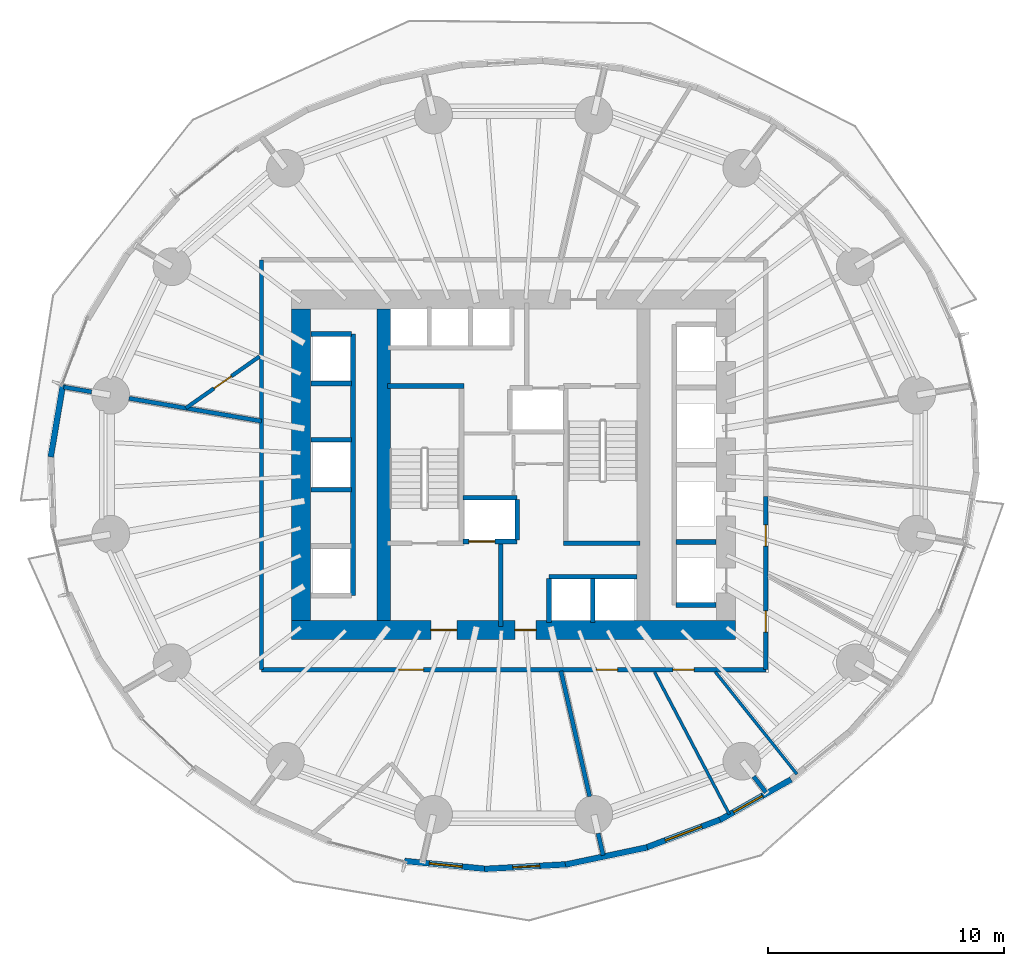
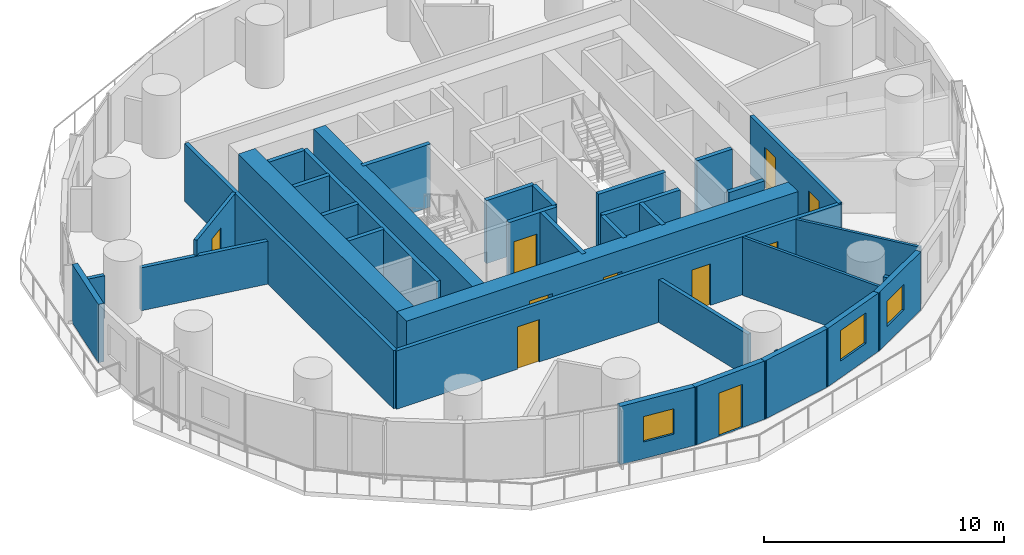
# One storey, part 7 of 14: 36 walls, 10 doors, 3 windows, 13 openings.
"""IFC4 building model written with IfcOpenShell, lengths in metres."""

from ifc_helpers import new_model, si_unit, direction, frame, frame_2d, origin, place, context, subcontext, project, spatial, rectangle, extrude, material, layer, layer_set, type_object, element, fill, save


model = new_model("IFC4")

# Units and contexts
model_context = context("Model", 3, precision=1e-05, world=origin(), true_north=direction((0.0, 1.0)))
body_context = subcontext(model_context, "Body", "Model", "MODEL_VIEW")
ifc_project = project(units=[si_unit("LENGTHUNIT", "METRE"), si_unit("AREAUNIT", "SQUARE_METRE"), si_unit("VOLUMEUNIT", "CUBIC_METRE"), si_unit("PLANEANGLEUNIT", "RADIAN"), si_unit("MASSUNIT", "GRAM", prefix="KILO")], contexts=[model_context])

# Site, building, storey
site_placement = place(None, origin())
site = spatial("IfcSite", under=ifc_project, at=site_placement, CompositionType="ELEMENT")
building_placement = place(site_placement, origin())
building = spatial("IfcBuilding", under=site, at=building_placement, Name="Veldorim Arch Residences", CompositionType="ELEMENT")
storey_placement = place(building_placement, frame((0.0, 0.0, 40.800048828125)))
storey = spatial("IfcBuildingStorey", under=building, at=storey_placement, Name="L11", CompositionType="ELEMENT", Elevation=40.800048828125)

# Walls
ifc_material_1 = material(Name="Acoustic Gypsum Board", Category="gypsum")
ifc_layer_1 = layer(ifc_material_1, 0.125, Name="Acoustic Stud Room Partition Wall 125")
ifc_layer_set_1 = layer_set([ifc_layer_1], Name="Acoustic Gypsum Board")
wall_type_1 = type_object("IfcWallType", Name="Acoustic Stud Room Partition Wall 125", PredefinedType="PARTITIONING", material=ifc_layer_set_1)
wall_1_placement = place(storey_placement, frame((43.997802734375, 10.896728515625, 0.0), z_axis=(0.0, 0.0, 1.0), x_axis=(-0.623937025269, 0.781474624347, 0.0)))
element("IfcWall", 1, at=wall_1_placement, inside=storey, type_object=wall_type_1, Name="L11 interior wall WL-RES-L11-010", PredefinedType="PARTITIONING", context=body_context, shape_type="SweptSolid", body=[
    extrude(rectangle(XDim=5.540283203125, YDim=0.125, at=frame_2d((2.77001953125, 0.0))), origin(), (0.0, 0.0, 1.0), 2.954833984375),
])
wall_2_placement = place(storey_placement, frame((41.134521484375, 9.197265625, 0.0), z_axis=(0.0, 0.0, 1.0), x_axis=(-0.465197105493, 0.885207124373, 0.0)))
element("IfcWall", 2, at=wall_2_placement, inside=storey, type_object=wall_type_1, Name="L11 interior wall WL-RES-L11-011", PredefinedType="PARTITIONING", context=body_context, shape_type="SweptSolid", body=[
    extrude(rectangle(XDim=6.796875, YDim=0.125, at=frame_2d((3.3984375, 0.0))), origin(), (0.0, 0.0, 1.0), 2.954833984375),
])
ifc_material_2 = material(Name="Lightweight Masonry Block & Gypsum", Category="masonry")
ifc_layer_2 = layer(ifc_material_2, 0.179931640625, Name="Compartment & Corridor Fire-Rated Party Wall 180")
ifc_layer_set_2 = layer_set([ifc_layer_2], Name="Lightweight Masonry Block & Gypsum")
wall_type_2 = type_object("IfcWallType", Name="Compartment & Corridor Fire-Rated Party Wall 180", PredefinedType="PARTITIONING", material=ifc_layer_set_2)
wall_3_placement = place(storey_placement, frame((14.126220703125, 27.08544921875, 0.0), z_axis=(0.0, 0.0, 1.0), x_axis=(-0.98541644509, 0.170160012181, 0.0)))
element("IfcWall", 3, at=wall_3_placement, inside=storey, type_object=wall_type_2, Name="L11 interior wall WL-PIER-L11-08", PredefinedType="PARTITIONING", context=body_context, shape_type="SweptSolid", body=[
    extrude(rectangle(XDim=1.195068359375, YDim=0.179931640625, at=frame_2d((0.59765625, 0.0))), origin(), (0.0, 0.0, 1.0), 2.17822265625),
])
wall_4_placement = place(storey_placement, frame((35.577880859375, 8.390869140625, 0.0), z_axis=(0.0, 0.0, 1.0), x_axis=(0.223204870581, -0.974771555673, 0.0)))
element("IfcWall", 4, at=wall_4_placement, inside=storey, type_object=wall_type_2, Name="L11 interior wall WL-PIER-L11-13", PredefinedType="PARTITIONING", context=body_context, shape_type="SweptSolid", body=[
    extrude(rectangle(XDim=0.959228515625, YDim=0.179931640625, at=frame_2d((0.4794921875, 0.0))), origin(), (0.0, 0.0, 1.0), 2.17822265625),
])
wall_5_placement = place(storey_placement, frame((42.167236328125, 10.795166015625, 0.0), z_axis=(0.0, 0.0, 1.0), x_axis=(0.609822176225, -0.792538272504, 0.0)))
element("IfcWall", 5, at=wall_5_placement, inside=storey, type_object=wall_type_2, Name="L11 interior wall WL-PIER-L11-14", PredefinedType="PARTITIONING", context=body_context, shape_type="SweptSolid", body=[
    extrude(rectangle(XDim=0.84716796875, YDim=0.179931640625, at=frame_2d((0.423583984375, 0.0))), origin(), (0.0, 0.0, 1.0), 2.17822265625),
])

# Wall, openings, doors
wall_6_placement = place(storey_placement, frame((42.679931640625, 22.655517578125, 0.0), z_axis=(0.0, 0.0, 1.0), x_axis=(0.0, -1.0, 0.0)))
wall_6 = element("IfcWall", 6, at=wall_6_placement, inside=storey, type_object=wall_type_2, Name="L11 interior wall WL-RES-L11-002", PredefinedType="PARTITIONING", context=body_context, shape_type="SweptSolid", body=[
    extrude(rectangle(XDim=7.33544921875, YDim=0.179931640625, at=frame_2d((3.667724609375, 0.0))), origin(), (0.0, 0.0, 1.0), 2.954833984375),
])
opening_1_placement = place(wall_6_placement, frame((1.199951171875, 0.0, 0.0)))
opening_1 = element("IfcOpeningElement", 7, at=opening_1_placement, cuts=wall_6, Name="Opening DR-INT", PredefinedType="OPENING", context=body_context, shape_type="SweptSolid", body=[
    extrude(rectangle(XDim=0.89990234375, YDim=2.10009765625, at=frame_2d((0.449951171875, 1.050048828125))), frame((0.0, 0.099853515625, 0.0), z_axis=(0.0, -1.0, 0.0), x_axis=(1.0, 0.0, 0.0)), (0.0, 0.0, 1.0), 0.199951171875),
])
opening_2_placement = place(wall_6_placement, frame((4.846435546875, 0.0, 0.0)))
opening_2 = element("IfcOpeningElement", 8, at=opening_2_placement, cuts=wall_6, Name="Opening DR-INT", PredefinedType="OPENING", context=body_context, shape_type="SweptSolid", body=[
    extrude(rectangle(XDim=0.89990234375, YDim=2.10009765625, at=frame_2d((0.449951171875, 1.050048828125))), frame((0.0, 0.099853515625, 0.0), z_axis=(0.0, -1.0, 0.0), x_axis=(1.0, 0.0, 0.0)), (0.0, 0.0, 1.0), 0.199951171875),
])
ifc_material_3 = material(Name="Engineered Timber", Category="wood")
door_type_1 = type_object("IfcDoorType", Name="Apartment Internal Room Timber Door 900x2100", OperationType="SINGLE_SWING_LEFT", PredefinedType="DOOR", material=ifc_material_3)
door_1_placement = place(opening_1_placement, origin())
door_1 = element("IfcDoor", 9, at=door_1_placement, inside=storey, type_object=door_type_1, Name="L11 interior door DR-RES-L11-002", OperationType="SINGLE_SWING_RIGHT", OverallHeight=2.10009765625, OverallWidth=0.89990234375, PredefinedType="DOOR", context=body_context, shape_type="SweptSolid", body=[
    extrude(rectangle(XDim=0.89990234375, YDim=2.10009765625, at=frame_2d((0.449951171875, 1.050048828125))), frame((0.0, 0.02490234375, 0.0), z_axis=(0.0, -1.0, 0.0), x_axis=(1.0, 0.0, 0.0)), (0.0, 0.0, 1.0), 0.050048828125),
])
fill(opening_1, door_1)
door_2_placement = place(opening_2_placement, origin())
door_2 = element("IfcDoor", 10, at=door_2_placement, inside=storey, type_object=door_type_1, Name="L11 interior door DR-RES-L11-003", OperationType="SINGLE_SWING_LEFT", OverallHeight=2.10009765625, OverallWidth=0.89990234375, PredefinedType="DOOR", context=body_context, shape_type="SweptSolid", body=[
    extrude(rectangle(XDim=0.89990234375, YDim=2.10009765625, at=frame_2d((0.449951171875, 1.050048828125))), frame((0.0, 0.02490234375, 0.0), z_axis=(0.0, -1.0, 0.0), x_axis=(1.0, 0.0, 0.0)), (0.0, 0.0, 1.0), 0.050048828125),
])
fill(opening_2, door_2)

wall_7_placement = place(storey_placement, frame((42.679931640625, 15.320068359375, 0.0), z_axis=(0.0, 0.0, 1.0), x_axis=(-1.0, 0.0, 0.0)))
wall_7 = element("IfcWall", 11, at=wall_7_placement, inside=storey, type_object=wall_type_2, Name="L11 interior wall WL-RES-L11-003", PredefinedType="PARTITIONING", context=body_context, shape_type="SweptSolid", body=[
    extrude(rectangle(XDim=21.35986328125, YDim=0.179931640625, at=frame_2d((10.679931640625, 0.0))), origin(), (0.0, 0.0, 1.0), 2.954833984375),
])
opening_3_placement = place(wall_7_placement, frame((3.035888671875, 0.0, 0.0)))
opening_3 = element("IfcOpeningElement", 12, at=opening_3_placement, cuts=wall_7, Name="Opening DR-INT", PredefinedType="OPENING", context=body_context, shape_type="SweptSolid", body=[
    extrude(rectangle(XDim=0.89990234375, YDim=2.10009765625, at=frame_2d((0.449951171875, 1.050048828125))), frame((0.0, 0.099853515625, 0.0), z_axis=(0.0, -1.0, 0.0), x_axis=(1.0, 0.0, 0.0)), (0.0, 0.0, 1.0), 0.199951171875),
])
opening_4_placement = place(wall_7_placement, frame((6.275390625, 0.0, 0.0)))
opening_4 = element("IfcOpeningElement", 13, at=opening_4_placement, cuts=wall_7, Name="Opening DR-INT", PredefinedType="OPENING", context=body_context, shape_type="SweptSolid", body=[
    extrude(rectangle(XDim=0.89990234375, YDim=2.10009765625, at=frame_2d((0.449951171875, 1.050048828125))), frame((0.0, 0.099853515625, 0.0), z_axis=(0.0, -1.0, 0.0), x_axis=(1.0, 0.0, 0.0)), (0.0, 0.0, 1.0), 0.199951171875),
])
opening_5_placement = place(wall_7_placement, frame((14.489990234375, 0.0, 0.0)))
opening_5 = element("IfcOpeningElement", 14, at=opening_5_placement, cuts=wall_7, Name="Opening DR-FLT", PredefinedType="OPENING", context=body_context, shape_type="SweptSolid", body=[
    extrude(rectangle(XDim=1.050048828125, YDim=2.14990234375, at=frame_2d((0.52490234375, 1.074951171875))), frame((0.0, 0.099853515625, 0.0), z_axis=(0.0, -1.0, 0.0), x_axis=(1.0, 0.0, 0.0)), (0.0, 0.0, 1.0), 0.199951171875),
])
ifc_material_4 = material(Name="Fire-Rated Timber", Category="wood")
door_type_2 = type_object("IfcDoorType", Name="Apartment Entrance Solid-Core Fire Door 1050x2150", OperationType="SINGLE_SWING_LEFT", PredefinedType="DOOR", material=ifc_material_4)
door_3_placement = place(opening_5_placement, origin())
door_3 = element("IfcDoor", 15, at=door_3_placement, inside=storey, type_object=door_type_2, Name="L11 interior door DR-RES-L11-014", OperationType="SINGLE_SWING_RIGHT", OverallHeight=2.14990234375, OverallWidth=1.050048828125, PredefinedType="DOOR", context=body_context, shape_type="SweptSolid", body=[
    extrude(rectangle(XDim=1.050048828125, YDim=2.14990234375, at=frame_2d((0.52490234375, 1.074951171875))), frame((0.0, 0.02490234375, 0.0), z_axis=(0.0, -1.0, 0.0), x_axis=(1.0, 0.0, 0.0)), (0.0, 0.0, 1.0), 0.050048828125),
])
fill(opening_5, door_3)
door_4_placement = place(opening_3_placement, origin())
door_4 = element("IfcDoor", 16, at=door_4_placement, inside=storey, type_object=door_type_1, Name="L11 interior door DR-RES-L11-004", OperationType="SINGLE_SWING_RIGHT", OverallHeight=2.10009765625, OverallWidth=0.89990234375, PredefinedType="DOOR", context=body_context, shape_type="SweptSolid", body=[
    extrude(rectangle(XDim=0.89990234375, YDim=2.10009765625, at=frame_2d((0.449951171875, 1.050048828125))), frame((0.0, 0.02490234375, 0.0), z_axis=(0.0, -1.0, 0.0), x_axis=(1.0, 0.0, 0.0)), (0.0, 0.0, 1.0), 0.050048828125),
])
fill(opening_3, door_4)
door_5_placement = place(opening_4_placement, origin())
door_5 = element("IfcDoor", 17, at=door_5_placement, inside=storey, type_object=door_type_1, Name="L11 interior door DR-RES-L11-005", OperationType="SINGLE_SWING_LEFT", OverallHeight=2.10009765625, OverallWidth=0.89990234375, PredefinedType="DOOR", context=body_context, shape_type="SweptSolid", body=[
    extrude(rectangle(XDim=0.89990234375, YDim=2.10009765625, at=frame_2d((0.449951171875, 1.050048828125))), frame((0.0, 0.02490234375, 0.0), z_axis=(0.0, -1.0, 0.0), x_axis=(1.0, 0.0, 0.0)), (0.0, 0.0, 1.0), 0.050048828125),
])
fill(opening_4, door_5)

# Walls
wall_8_placement = place(storey_placement, frame((21.320068359375, 15.320068359375, 0.0), z_axis=(0.0, 0.0, 1.0), x_axis=(0.0, 1.0, 0.0)))
element("IfcWall", 18, at=wall_8_placement, inside=storey, type_object=wall_type_2, Name="L11 interior wall WL-RES-L11-005", PredefinedType="PARTITIONING", context=body_context, shape_type="SweptSolid", body=[
    extrude(rectangle(XDim=17.35986328125, YDim=0.179931640625, at=frame_2d((8.679931640625, 0.0))), origin(), (0.0, 0.0, 1.0), 2.954833984375),
])
wall_9_placement = place(storey_placement, frame((35.220947265625, 9.947998046875, 0.0), z_axis=(0.0, 0.0, 1.0), x_axis=(-0.223436436687, 0.974718502318, 0.0)))
element("IfcWall", 19, at=wall_9_placement, inside=storey, type_object=wall_type_2, Name="L11 interior wall WL-RES-L11-012", PredefinedType="PARTITIONING", context=body_context, shape_type="SweptSolid", body=[
    extrude(rectangle(XDim=5.451171875, YDim=0.179931640625, at=frame_2d((2.7255859375, 0.0))), origin(), (0.0, 0.0, 1.0), 2.17822265625),
])
wall_10_placement = place(storey_placement, frame((21.320068359375, 25.84375, 0.0), z_axis=(0.0, 0.0, 1.0), x_axis=(-0.985428411656, 0.170090697865, 0.0)))
element("IfcWall", 20, at=wall_10_placement, inside=storey, type_object=wall_type_2, Name="L11 interior wall WL-RES-L11-020", PredefinedType="PARTITIONING", context=body_context, shape_type="SweptSolid", body=[
    extrude(rectangle(XDim=5.694091796875, YDim=0.179931640625, at=frame_2d((2.84716796875, 0.0))), origin(), (0.0, 0.0, 1.0), 2.17822265625),
])
ifc_material_5 = material(Name="Concrete C50/60", Category="concrete")
ifc_layer_3 = layer(ifc_material_5, 0.199951171875, Name="Core Stair & Lift Shaft Enclosure Wall 200")
ifc_layer_set_3 = layer_set([ifc_layer_3], Name="Concrete C50/60")
wall_type_3 = type_object("IfcWallType", Name="Core Stair & Lift Shaft Enclosure Wall 200", PredefinedType="SHEAR", material=ifc_layer_set_3)
for number, where, z_axis, x_axis, name in (
    (21, (26.64990234375, 27.330078125, 0.0), (0.0, 0.0, 1.0), (1.0, 0.0, 0.0), "L11 shaft wall WL-SHF-L11-ST1-N"),
    (22, (34.110107421875, 20.669921875, 0.0), (0.0, 0.0, 1.0), (1.0, 0.0, 0.0), "L11 shaft wall WL-SHF-L11-ST2-S"),
):
    element("IfcWall", number, at=place(storey_placement, frame(where, z_axis=z_axis, x_axis=x_axis)), inside=storey, type_object=wall_type_3, Name=name, PredefinedType="SHEAR", context=body_context, shape_type="SweptSolid", body=[
        extrude(rectangle(XDim=3.239990234375, YDim=0.199951171875, at=frame_2d((1.6201171875, 0.0))), origin(), (0.0, 0.0, 1.0), 3.199951171875),
    ])
wall_11_placement = place(storey_placement, frame((31.449951171875, 17.14990234375, 0.0), z_axis=(0.0, 0.0, 1.0), x_axis=(0.0, 1.0, 0.0)))
element("IfcWall", 23, at=wall_11_placement, inside=storey, type_object=wall_type_3, Name="L11 shaft wall WL-FFL1-L11-E", PredefinedType="SHEAR", context=body_context, shape_type="SweptSolid", body=[
    extrude(rectangle(XDim=3.5, YDim=0.199951171875, at=frame_2d((1.75, 0.0))), origin(), (0.0, 0.0, 1.0), 3.199951171875),
])

# Wall, opening, door
wall_12_placement = place(storey_placement, frame((29.85009765625, 20.75, 0.0), z_axis=(0.0, 0.0, 1.0), x_axis=(1.0, 0.0, 0.0)))
wall_12 = element("IfcWall", 24, at=wall_12_placement, inside=storey, type_object=wall_type_3, Name="L11 shaft wall WL-FL01-L11-S", PredefinedType="SHEAR", context=body_context, shape_type="SweptSolid", body=[
    extrude(rectangle(XDim=2.2998046875, YDim=0.199951171875, at=frame_2d((1.14990234375, 0.0))), origin(), (0.0, 0.0, 1.0), 3.199951171875),
])
opening_6_placement = place(wall_12_placement, frame((0.25, 0.0, 0.0)))
opening_6 = element("IfcOpeningElement", 25, at=opening_6_placement, cuts=wall_12, Name="Opening LD-FF", PredefinedType="OPENING", context=body_context, shape_type="SweptSolid", body=[
    extrude(rectangle(XDim=1.10009765625, YDim=2.14990234375, at=frame_2d((0.550048828125, 1.074951171875))), frame((0.0, 0.10986328125, 0.0), z_axis=(0.0, -1.0, 0.0), x_axis=(1.0, 0.0, 0.0)), (0.0, 0.0, 1.0), 0.219970703125),
])
ifc_material_6 = material(Name="Stainless Steel", Category="steel")
door_type_3 = type_object("IfcDoorType", Name="Firefighting Lift Bi-Parting Sliding Landing Door 1100x2150", OperationType="DOUBLE_DOOR_SLIDING", PredefinedType="DOOR", material=ifc_material_6)
door_6_placement = place(opening_6_placement, origin())
door_6 = element("IfcDoor", 26, at=door_6_placement, inside=storey, type_object=door_type_3, Name="L11 lift landing door LD-L11-FL01", OperationType="DOUBLE_DOOR_SLIDING", OverallHeight=2.14990234375, OverallWidth=1.10009765625, PredefinedType="DOOR", context=body_context, shape_type="SweptSolid", body=[
    extrude(rectangle(XDim=1.10009765625, YDim=2.14990234375, at=frame_2d((0.550048828125, 1.074951171875))), frame((0.0, 0.02490234375, 0.0), z_axis=(0.0, -1.0, 0.0), x_axis=(1.0, 0.0, 0.0)), (0.0, 0.0, 1.0), 0.050048828125),
])
fill(opening_6, door_6)

# Walls
wall_13_placement = place(storey_placement, frame((29.85009765625, 22.60009765625, 0.0), z_axis=(0.0, 0.0, 1.0), x_axis=(1.0, 0.0, 0.0)))
element("IfcWall", 27, at=wall_13_placement, inside=storey, type_object=wall_type_3, Name="L11 shaft wall WL-FL01-L11-N", PredefinedType="SHEAR", context=body_context, shape_type="SweptSolid", body=[
    extrude(rectangle(XDim=2.2998046875, YDim=0.199951171875, at=frame_2d((1.14990234375, 0.0))), origin(), (0.0, 0.0, 1.0), 3.199951171875),
])
for number, where, z_axis, x_axis, name in (
    (28, (32.14990234375, 20.820068359375, 0.0), (0.0, 0.0, 1.0), (0.0, 1.0, 0.0), "L11 shaft wall WL-FL01-L11-E"),
    (29, (38.8701171875, 18.06005859375, 0.0), (0.0, 0.0, 1.0), (1.0, 0.0, 0.0), "L11 shaft wall WL-B1-L11-S"),
    (30, (38.8701171875, 20.72509765625, 0.0), (0.0, 0.0, 1.0), (1.0, 0.0, 0.0), "L11 shaft wall WL-B1-L11-D1"),
):
    element("IfcWall", number, at=place(storey_placement, frame(where, z_axis=z_axis, x_axis=x_axis)), inside=storey, type_object=wall_type_3, Name=name, PredefinedType="SHEAR", context=body_context, shape_type="SweptSolid", body=[
        extrude(rectangle(XDim=1.7099609375, YDim=0.199951171875, at=frame_2d((0.85498046875, 0.0))), origin(), (0.0, 0.0, 1.0), 3.199951171875),
    ])
wall_14_placement = place(storey_placement, frame((25.199951171875, 18.4599609375, 0.0), z_axis=(0.0, 0.0, 1.0), x_axis=(0.0, 1.0, 0.0)))
element("IfcWall", 31, at=wall_14_placement, inside=storey, type_object=wall_type_3, Name="L11 shaft wall WL-B2-L11-E", PredefinedType="SHEAR", context=body_context, shape_type="SweptSolid", body=[
    extrude(rectangle(XDim=11.080078125, YDim=0.199951171875, at=frame_2d((5.5400390625, 0.0))), origin(), (0.0, 0.0, 1.0), 3.199951171875),
])
for number, where, z_axis, x_axis, name in (
    (32, (23.419921875, 29.5400390625, 0.0), (0.0, 0.0, 1.0), (1.0, 0.0, 0.0), "L11 shaft wall WL-B2-L11-N"),
    (33, (23.419921875, 22.93994140625, 0.0), (0.0, 0.0, 1.0), (1.0, 0.0, 0.0), "L11 shaft wall WL-B2-L11-D1B"),
    (34, (23.419921875, 25.06005859375, 0.0), (0.0, 0.0, 1.0), (1.0, 0.0, 0.0), "L11 shaft wall WL-B2-L11-D2A"),
    (35, (23.419921875, 27.43994140625, 0.0), (0.0, 0.0, 1.0), (1.0, 0.0, 0.0), "L11 shaft wall WL-B2-L11-D2B"),
):
    element("IfcWall", number, at=place(storey_placement, frame(where, z_axis=z_axis, x_axis=x_axis)), inside=storey, type_object=wall_type_3, Name=name, PredefinedType="SHEAR", context=body_context, shape_type="SweptSolid", body=[
        extrude(rectangle(XDim=1.7099609375, YDim=0.199951171875, at=frame_2d((0.85498046875, 0.0))), origin(), (0.0, 0.0, 1.0), 3.199951171875),
    ])
wall_15_placement = place(storey_placement, frame((33.5, 19.25, 0.0), z_axis=(0.0, 0.0, 1.0), x_axis=(1.0, 0.0, 0.0)))
element("IfcWall", 36, at=wall_15_placement, inside=storey, type_object=wall_type_3, Name="L11 shaft wall WL-OL-L11-N", PredefinedType="SHEAR", context=body_context, shape_type="SweptSolid", body=[
    extrude(rectangle(XDim=3.719970703125, YDim=0.199951171875, at=frame_2d((1.85986328125, 0.0))), origin(), (0.0, 0.0, 1.0), 3.199951171875),
])
for number, where, z_axis, x_axis, name in (
    (37, (33.5, 17.320068359375, 0.0), (0.0, 0.0, 1.0), (0.0, 1.0, 0.0), "L11 shaft wall WL-OL-L11-W"),
    (38, (35.35009765625, 17.320068359375, 0.0), (0.0, 0.0, 1.0), (0.0, 1.0, 0.0), "L11 shaft wall WL-OL-L11-D1"),
):
    element("IfcWall", number, at=place(storey_placement, frame(where, z_axis=z_axis, x_axis=x_axis)), inside=storey, type_object=wall_type_3, Name=name, PredefinedType="SHEAR", context=body_context, shape_type="SweptSolid", body=[
        extrude(rectangle(XDim=1.85986328125, YDim=0.199951171875, at=frame_2d((0.929931640625, 0.0))), origin(), (0.0, 0.0, 1.0), 3.199951171875),
    ])
ifc_material_7 = material(Name="Concrete C60/75", Category="concrete")
ifc_layer_4 = layer(ifc_material_7, 0.56005859375, Name="Internal Core Shear Web Wall 560")
ifc_layer_set_4 = layer_set([ifc_layer_4], Name="Concrete C60/75")
wall_type_4 = type_object("IfcWallType", Name="Internal Core Shear Web Wall 560", PredefinedType="SHEAR", material=ifc_layer_set_4)
wall_16_placement = place(storey_placement, frame((26.5, 17.39990234375, 0.0), z_axis=(0.0, 0.0, 1.0), x_axis=(0.0, 1.0, 0.0)))
element("IfcWall", 39, at=wall_16_placement, inside=storey, type_object=wall_type_4, Name="L11 core west internal shear web", PredefinedType="SHEAR", context=body_context, shape_type="SweptSolid", body=[
    extrude(rectangle(XDim=13.2001953125, YDim=0.56005859375, at=frame_2d((6.60009765625, 0.0))), origin(), (0.0, 0.0, 1.0), 3.199951171875),
])

# Wall, openings, doors
ifc_material_8 = material(Name="Concrete C60/75", Category="concrete")
ifc_layer_5 = layer(ifc_material_8, 0.800048828125, Name="Lower Central Core Shear Wall 800")
ifc_layer_set_5 = layer_set([ifc_layer_5], Name="Concrete C60/75")
wall_type_5 = type_object("IfcWallType", Name="Lower Central Core Shear Wall 800", PredefinedType="SHEAR", material=ifc_layer_set_5)
wall_17_placement = place(storey_placement, frame((22.60009765625, 17.0, 0.0), z_axis=(0.0, 0.0, 1.0), x_axis=(1.0, 0.0, 0.0)))
wall_17 = element("IfcWall", 40, at=wall_17_placement, inside=storey, type_object=wall_type_5, Name="L11 central core south shear wall", PredefinedType="SHEAR", context=body_context, shape_type="SweptSolid", body=[
    extrude(rectangle(XDim=18.7998046875, YDim=0.800048828125, at=frame_2d((9.39990234375, 0.0))), origin(), (0.0, 0.0, 1.0), 3.199951171875),
])
opening_7_placement = place(wall_17_placement, frame((5.89990234375, 0.0, 0.0)))
opening_7 = element("IfcOpeningElement", 41, at=opening_7_placement, cuts=wall_17, Name="Opening DR-FFL", PredefinedType="OPENING", context=body_context, shape_type="SweptSolid", body=[
    extrude(rectangle(XDim=1.10009765625, YDim=2.14990234375, at=frame_2d((0.550048828125, 1.074951171875))), frame((0.0, 0.409912109375, 0.0), z_axis=(0.0, -1.0, 0.0), x_axis=(1.0, 0.0, 0.0)), (0.0, 0.0, 1.0), 0.820068359375),
])
opening_8_placement = place(wall_17_placement, frame((9.449951171875, 0.0, 0.0)))
opening_8 = element("IfcOpeningElement", 42, at=opening_8_placement, cuts=wall_17, Name="Opening DR-SVC", PredefinedType="OPENING", context=body_context, shape_type="SweptSolid", body=[
    extrude(rectangle(XDim=0.89990234375, YDim=2.10009765625, at=frame_2d((0.449951171875, 1.050048828125))), frame((0.0, 0.409912109375, 0.0), z_axis=(0.0, -1.0, 0.0), x_axis=(1.0, 0.0, 0.0)), (0.0, 0.0, 1.0), 0.820068359375),
])
ifc_material_9 = material(Name="Fire-Rated Steel & Vision Glass", Category="steel")
door_type_4 = type_object("IfcDoorType", Name="Firefighting Lobby Smoke-Stop Fire Door 1100x2150", OperationType="SINGLE_SWING_LEFT", PredefinedType="DOOR", material=ifc_material_9)
door_7_placement = place(opening_7_placement, origin())
door_7 = element("IfcDoor", 43, at=door_7_placement, inside=storey, type_object=door_type_4, Name="L11 interior door DR-L11-FFL1", OperationType="SINGLE_SWING_RIGHT", OverallHeight=2.14990234375, OverallWidth=1.10009765625, PredefinedType="DOOR", context=body_context, shape_type="SweptSolid", body=[
    extrude(rectangle(XDim=1.10009765625, YDim=2.14990234375, at=frame_2d((0.550048828125, 1.074951171875))), frame((0.0, 0.02490234375, 0.0), z_axis=(0.0, -1.0, 0.0), x_axis=(1.0, 0.0, 0.0)), (0.0, 0.0, 1.0), 0.050048828125),
])
fill(opening_7, door_7)
ifc_material_10 = material(Name="Fire-Rated Steel", Category="steel")
door_type_5 = type_object("IfcDoorType", Name="Riser, Shelter & Plant Room Rated Steel Door 900x2100", OperationType="SINGLE_SWING_LEFT", PredefinedType="DOOR", material=ifc_material_10)
door_8_placement = place(opening_8_placement, origin())
door_8 = element("IfcDoor", 44, at=door_8_placement, inside=storey, type_object=door_type_5, Name="L11 interior door DR-L11-COR-ANC", OperationType="SINGLE_SWING_LEFT", OverallHeight=2.10009765625, OverallWidth=0.89990234375, PredefinedType="DOOR", context=body_context, shape_type="SweptSolid", body=[
    extrude(rectangle(XDim=0.89990234375, YDim=2.10009765625, at=frame_2d((0.449951171875, 1.050048828125))), frame((0.0, 0.02490234375, 0.0), z_axis=(0.0, -1.0, 0.0), x_axis=(1.0, 0.0, 0.0)), (0.0, 0.0, 1.0), 0.050048828125),
])
fill(opening_8, door_8)

# Walls
wall_18_placement = place(storey_placement, frame((23.0, 17.39990234375, 0.0), z_axis=(0.0, 0.0, 1.0), x_axis=(0.0, 1.0, 0.0)))
element("IfcWall", 45, at=wall_18_placement, inside=storey, type_object=wall_type_5, Name="L11 central core west shear wall", PredefinedType="SHEAR", context=body_context, shape_type="SweptSolid", body=[
    extrude(rectangle(XDim=13.2001953125, YDim=0.800048828125, at=frame_2d((6.60009765625, 0.0))), origin(), (0.0, 0.0, 1.0), 3.199951171875),
])
ifc_material_11 = material(Name="Precast concrete C40/50", Category="concrete")
ifc_layer_6 = layer(ifc_material_11, 0.25, Name="Tower Terracotta Spandrel & Pier Wall 250")
ifc_layer_set_6 = layer_set([ifc_layer_6], Name="Precast concrete C40/50")
wall_type_6 = type_object("IfcWallType", Name="Tower Terracotta Spandrel & Pier Wall 250", PredefinedType="SOLIDWALL", material=ifc_layer_set_6)
wall_19_placement = place(storey_placement, frame((12.393310546875, 24.330078125, 0.0), z_axis=(0.0, 0.0, 1.0), x_axis=(0.166403122634, 0.98605780803, 0.0)))
element("IfcWall", 46, at=wall_19_placement, inside=storey, type_object=wall_type_6, Name="L11 terracotta facade wall 17", PredefinedType="SOLIDWALL", context=body_context, shape_type="SweptSolid", body=[
    extrude(rectangle(XDim=3.12060546875, YDim=0.25, at=frame_2d((1.560302734375, 0.0))), origin(), (0.0, 0.0, 1.0), 2.9599609375),
])

# Wall, opening, window
wall_20_placement = place(storey_placement, frame((30.877197265625, 6.876220703125, 0.0), z_axis=(0.0, 0.0, 1.0), x_axis=(-0.995323323337, 0.096599596386, 0.0)))
wall_20 = element("IfcWall", 47, at=wall_20_placement, inside=storey, type_object=wall_type_6, Name="L11 terracotta facade wall 26", PredefinedType="SOLIDWALL", context=body_context, shape_type="SweptSolid", body=[
    extrude(rectangle(XDim=3.512939453125, YDim=0.25, at=frame_2d((1.75634765625, 0.0))), origin(), (0.0, 0.0, 1.0), 2.9599609375),
])
opening_9_placement = place(wall_20_placement, frame((1.055908203125, 0.0, 0.85009765625)))
opening_9 = element("IfcOpeningElement", 48, at=opening_9_placement, cuts=wall_20, Name="Opening WN-02", PredefinedType="OPENING", context=body_context, shape_type="SweptSolid", body=[
    extrude(rectangle(XDim=1.39990234375, YDim=1.2900390625, at=frame_2d((0.699951171875, 0.64501953125))), frame((0.0, 0.135009765625, 0.0), z_axis=(0.0, -1.0, 0.0), x_axis=(1.0, 0.0, 0.0)), (0.0, 0.0, 1.0), 0.27001953125),
])
ifc_material_12 = material(Name="Laminated Low-E Glass", Category="glass")
window_type_1 = type_object("IfcWindowType", Name="Residential Casement Window 1400x1550", PartitioningType="SINGLE_PANEL", PredefinedType="WINDOW", material=ifc_material_12)
window_1_placement = place(opening_9_placement, origin())
window_1 = element("IfcWindow", 49, at=window_1_placement, inside=storey, type_object=window_type_1, Name="L11 solar-control facade window 26", OverallHeight=1.2900390625, OverallWidth=1.39990234375, PartitioningType="SINGLE_PANEL", PredefinedType="WINDOW", context=body_context, shape_type="SweptSolid", body=[
    extrude(rectangle(XDim=1.39990234375, YDim=1.2900390625, at=frame_2d((0.699951171875, 0.64501953125))), frame((0.0, 0.030029296875, 0.0), z_axis=(0.0, -1.0, 0.0), x_axis=(1.0, 0.0, 0.0)), (0.0, 0.0, 1.0), 0.06005859375),
])
fill(opening_9, window_1)

# Wall, opening, door
wall_21_placement = place(storey_placement, frame((34.30078125, 7.076904296875, 0.0), z_axis=(0.0, 0.0, 1.0), x_axis=(-0.998425121055, -0.056100602904, 0.0)))
wall_21 = element("IfcWall", 50, at=wall_21_placement, inside=storey, type_object=wall_type_6, Name="L11 terracotta facade wall 27", PredefinedType="SOLIDWALL", context=body_context, shape_type="SweptSolid", body=[
    extrude(rectangle(XDim=3.5380859375, YDim=0.25, at=frame_2d((1.76904296875, 0.0))), origin(), (0.0, 0.0, 1.0), 2.9599609375),
])
opening_10_placement = place(wall_21_placement, frame((1.194091796875, 0.0, 0.0)))
opening_10 = element("IfcOpeningElement", 51, at=opening_10_placement, cuts=wall_21, Name="Opening BL-DR", PredefinedType="OPENING", context=body_context, shape_type="SweptSolid", body=[
    extrude(rectangle(XDim=1.14990234375, YDim=2.199951171875, at=frame_2d((0.574951171875, 1.10009765625))), frame((0.0, 0.135009765625, 0.0), z_axis=(0.0, -1.0, 0.0), x_axis=(1.0, 0.0, 0.0)), (0.0, 0.0, 1.0), 0.27001953125),
])
ifc_material_13 = material(Name="Aluminium & Low-E Glass", Category="aluminium")
door_type_6 = type_object("IfcDoorType", Name="Glazed Planted Balcony Door 1150x2200", OperationType="SINGLE_SWING_LEFT", PredefinedType="DOOR", material=ifc_material_13)
door_9_placement = place(opening_10_placement, origin())
door_9 = element("IfcDoor", 52, at=door_9_placement, inside=storey, type_object=door_type_6, Name="L11 glazed outdoor terrace door BALC-2", OperationType="SINGLE_SWING_LEFT", OverallHeight=2.199951171875, OverallWidth=1.14990234375, PredefinedType="DOOR", context=body_context, shape_type="SweptSolid", body=[
    extrude(rectangle(XDim=1.14990234375, YDim=2.199951171875, at=frame_2d((0.574951171875, 1.10009765625))), frame((0.0, 0.02490234375, 0.0), z_axis=(0.0, -1.0, 0.0), x_axis=(1.0, 0.0, 0.0)), (0.0, 0.0, 1.0), 0.050048828125),
])
fill(opening_10, door_9)

# Wall
wall_22_placement = place(storey_placement, frame((37.655029296875, 7.79248046875, 0.0), z_axis=(0.0, 0.0, 1.0), x_axis=(-0.978483842038, -0.206323461756, 0.0)))
element("IfcWall", 53, at=wall_22_placement, inside=storey, type_object=wall_type_6, Name="L11 terracotta facade wall 28", PredefinedType="SOLIDWALL", context=body_context, shape_type="SweptSolid", body=[
    extrude(rectangle(XDim=3.5380859375, YDim=0.25, at=frame_2d((1.76904296875, 0.0))), origin(), (0.0, 0.0, 1.0), 2.9599609375),
])

# Wall, opening, window
wall_23_placement = place(storey_placement, frame((40.837646484375, 9.00146484375, 0.0), z_axis=(0.0, 0.0, 1.0), x_axis=(-0.935679231508, -0.352851775857, 0.0)))
wall_23 = element("IfcWall", 54, at=wall_23_placement, inside=storey, type_object=wall_type_6, Name="L11 terracotta facade wall 29", PredefinedType="SOLIDWALL", context=body_context, shape_type="SweptSolid", body=[
    extrude(rectangle(XDim=3.5126953125, YDim=0.25, at=frame_2d((1.75634765625, 0.0))), origin(), (0.0, 0.0, 1.0), 2.9599609375),
])
opening_11_placement = place(wall_23_placement, frame((0.930908203125, 0.0, 0.85009765625)))
opening_11 = element("IfcOpeningElement", 55, at=opening_11_placement, cuts=wall_23, Name="Opening WN-03", PredefinedType="OPENING", context=body_context, shape_type="SweptSolid", body=[
    extrude(rectangle(XDim=1.64990234375, YDim=1.550048828125, at=frame_2d((0.824951171875, 0.77490234375))), frame((0.0, 0.135009765625, 0.0), z_axis=(0.0, -1.0, 0.0), x_axis=(1.0, 0.0, 0.0)), (0.0, 0.0, 1.0), 0.27001953125),
])
ifc_material_14 = material(Name="Laminated Low-E Glass", Category="glass")
window_type_2 = type_object("IfcWindowType", Name="Residential Wide Window 1650x1550", PartitioningType="SINGLE_PANEL", PredefinedType="WINDOW", material=ifc_material_14)
window_2_placement = place(opening_11_placement, origin())
window_2 = element("IfcWindow", 56, at=window_2_placement, inside=storey, type_object=window_type_2, Name="L11 solar-control facade window 29", OverallHeight=1.550048828125, OverallWidth=1.64990234375, PartitioningType="SINGLE_PANEL", PredefinedType="WINDOW", context=body_context, shape_type="SweptSolid", body=[
    extrude(rectangle(XDim=1.64990234375, YDim=1.550048828125, at=frame_2d((0.824951171875, 0.77490234375))), frame((0.0, 0.030029296875, 0.0), z_axis=(0.0, -1.0, 0.0), x_axis=(1.0, 0.0, 0.0)), (0.0, 0.0, 1.0), 0.06005859375),
])
fill(opening_11, window_2)

wall_24_placement = place(storey_placement, frame((43.751220703125, 10.667236328125, 0.0), z_axis=(0.0, 0.0, 1.0), x_axis=(-0.869389832426, -0.494126825091, 0.0)))
wall_24 = element("IfcWall", 57, at=wall_24_placement, inside=storey, type_object=wall_type_6, Name="L11 terracotta facade wall 30", PredefinedType="SOLIDWALL", context=body_context, shape_type="SweptSolid", body=[
    extrude(rectangle(XDim=3.465087890625, YDim=0.25, at=frame_2d((1.732421875, 0.0))), origin(), (0.0, 0.0, 1.0), 2.9599609375),
])
opening_12_placement = place(wall_24_placement, frame((1.39990234375, 0.0, 0.85009765625)))
opening_12 = element("IfcOpeningElement", 58, at=opening_12_placement, cuts=wall_24, Name="Opening WN-02", PredefinedType="OPENING", context=body_context, shape_type="SweptSolid", body=[
    extrude(rectangle(XDim=1.39990234375, YDim=1.2900390625, at=frame_2d((0.699951171875, 0.64501953125))), frame((0.0, 0.135009765625, 0.0), z_axis=(0.0, -1.0, 0.0), x_axis=(1.0, 0.0, 0.0)), (0.0, 0.0, 1.0), 0.27001953125),
])
window_3_placement = place(opening_12_placement, origin())
window_3 = element("IfcWindow", 59, at=window_3_placement, inside=storey, type_object=window_type_1, Name="L11 solar-control facade window 30", OverallHeight=1.2900390625, OverallWidth=1.39990234375, PartitioningType="SINGLE_PANEL", PredefinedType="WINDOW", context=body_context, shape_type="SweptSolid", body=[
    extrude(rectangle(XDim=1.39990234375, YDim=1.2900390625, at=frame_2d((0.699951171875, 0.64501953125))), frame((0.0, 0.030029296875, 0.0), z_axis=(0.0, -1.0, 0.0), x_axis=(1.0, 0.0, 0.0)), (0.0, 0.0, 1.0), 0.06005859375),
])
fill(opening_12, window_3)

# Wall, opening, door
ifc_material_15 = material(Name="Moisture-Resistant Gypsum & Stud", Category="gypsum")
ifc_layer_7 = layer(ifc_material_15, 0.159912109375, Name="Wet-Area Moisture-Resistant Plumbing Wall 160")
ifc_layer_set_7 = layer_set([ifc_layer_7], Name="Moisture-Resistant Gypsum & Stud")
wall_type_7 = type_object("IfcWallType", Name="Wet-Area Moisture-Resistant Plumbing Wall 160", PredefinedType="PLUMBINGWALL", material=ifc_layer_set_7)
wall_25_placement = place(storey_placement, frame((21.238037109375, 28.5869140625, 0.0), z_axis=(0.0, 0.0, 1.0), x_axis=(-0.818554579869, -0.57442875953, 0.0)))
wall_25 = element("IfcWall", 60, at=wall_25_placement, inside=storey, type_object=wall_type_7, Name="L11 interior wall WL-RES-L11-019", PredefinedType="PLUMBINGWALL", context=body_context, shape_type="SweptSolid", body=[
    extrude(rectangle(XDim=3.813232421875, YDim=0.159912109375, at=frame_2d((1.90673828125, 0.0))), origin(), (0.0, 0.0, 1.0), 2.954833984375),
])
opening_13_placement = place(wall_25_placement, frame((1.45654296875, 0.0, 0.0)))
opening_13 = element("IfcOpeningElement", 61, at=opening_13_placement, cuts=wall_25, Name="Opening DR-WC", PredefinedType="OPENING", context=body_context, shape_type="SweptSolid", body=[
    extrude(rectangle(XDim=0.89990234375, YDim=2.10009765625, at=frame_2d((0.449951171875, 1.050048828125))), frame((0.0, 0.08984375, 0.0), z_axis=(0.0, -1.0, 0.0), x_axis=(1.0, 0.0, 0.0)), (0.0, 0.0, 1.0), 0.179931640625),
])
ifc_material_16 = material(Name="Laminate Timber", Category="wood")
door_type_7 = type_object("IfcDoorType", Name="Bathroom & Accessible WC Moisture-Sealed Door 900x2100", OperationType="SINGLE_SWING_LEFT", PredefinedType="DOOR", material=ifc_material_16)
door_10_placement = place(opening_13_placement, origin())
door_10 = element("IfcDoor", 62, at=door_10_placement, inside=storey, type_object=door_type_7, Name="L11 interior door DR-RES-L11-013", OperationType="SINGLE_SWING_LEFT", OverallHeight=2.10009765625, OverallWidth=0.89990234375, PredefinedType="DOOR", context=body_context, shape_type="SweptSolid", body=[
    extrude(rectangle(XDim=0.89990234375, YDim=2.10009765625, at=frame_2d((0.449951171875, 1.050048828125))), frame((0.0, 0.02490234375, 0.0), z_axis=(0.0, -1.0, 0.0), x_axis=(1.0, 0.0, 0.0)), (0.0, 0.0, 1.0), 0.050048828125),
])
fill(opening_13, door_10)

save(model, "model.ifc")
